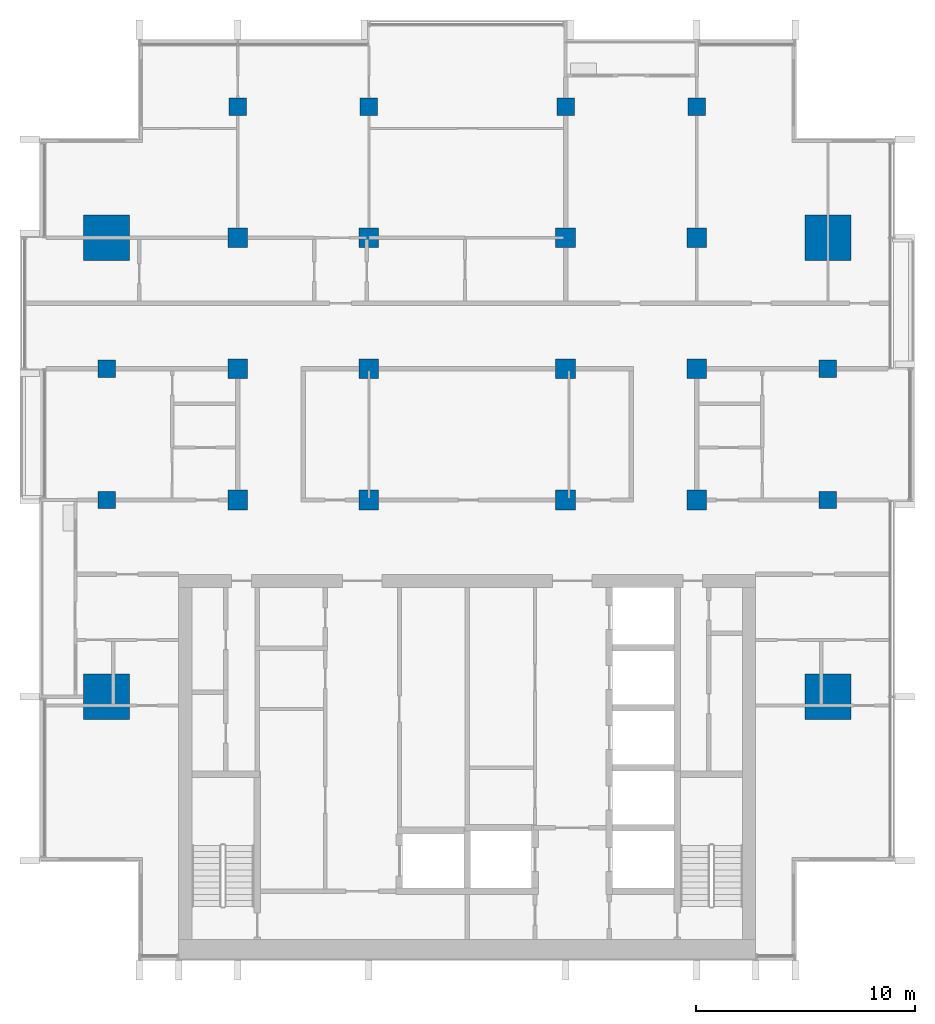
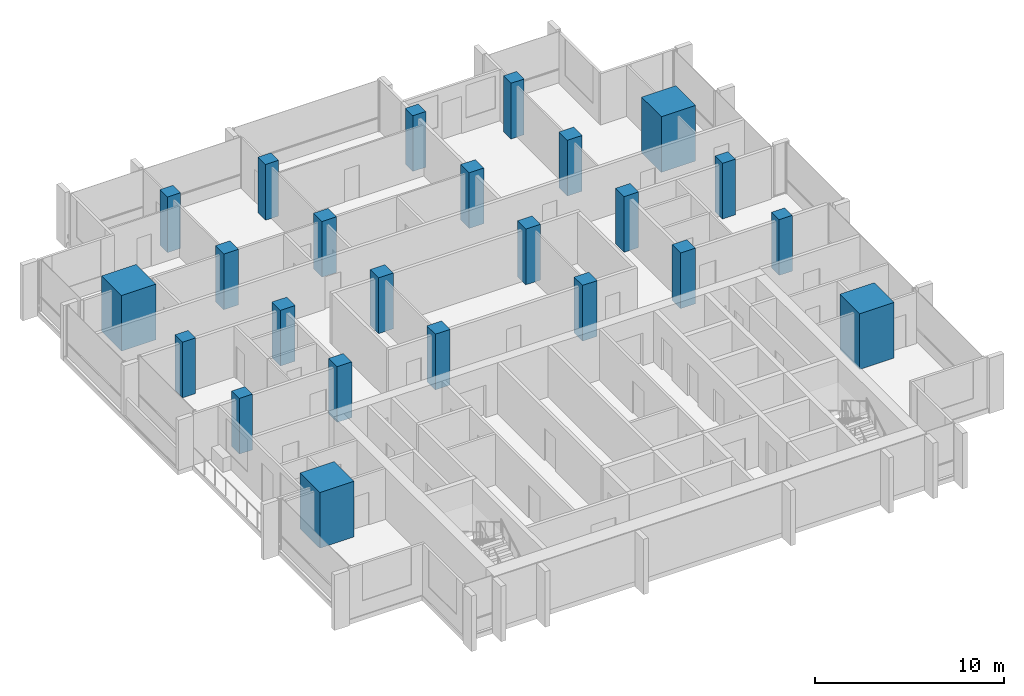
# One storey, part 1 of 16: 24 columns.
"""IFC4 building model written with IfcOpenShell, lengths in metres."""

from ifc_helpers import new_model, si_unit, direction, frame, origin, origin_2d, place, context, subcontext, project, spatial, rectangle, extrude, material, material_profile, profile_set, type_object, element, save


model = new_model("IFC4")

# Units and contexts
model_context = context("Model", 3, precision=1e-05, world=origin(), true_north=direction((0.0, 1.0)))
body_context = subcontext(model_context, "Body", "Model", "MODEL_VIEW")
ifc_project = project(units=[si_unit("LENGTHUNIT", "METRE"), si_unit("AREAUNIT", "SQUARE_METRE"), si_unit("VOLUMEUNIT", "CUBIC_METRE"), si_unit("PLANEANGLEUNIT", "RADIAN"), si_unit("MASSUNIT", "GRAM", prefix="KILO")], contexts=[model_context])

# Site, building, storey
site_placement = place(None, origin())
site = spatial("IfcSite", under=ifc_project, at=site_placement, CompositionType="ELEMENT")
building_placement = place(site_placement, origin())
building = spatial("IfcBuilding", under=site, at=building_placement, Name="Finial Court Residences", CompositionType="ELEMENT")
storey_placement = place(building_placement, frame((0.0, 0.0, 230.300048828125)))
storey = spatial("IfcBuildingStorey", under=building, at=storey_placement, Name="L58", CompositionType="ELEMENT", Elevation=230.300048828125)

# Columns
ifc_material = material(Name="Concrete C50/60", Category="concrete")
ifc_material_profile_1 = material_profile(ifc_material, rectangle(XDim=0.89990234375, YDim=0.89990234375, at=origin_2d()), Name="900x900")
ifc_profile_set_1 = profile_set([ifc_material_profile_1], Name="Concrete C50/60")
column_type_1 = type_object("IfcColumnType", Name="Interior column 900x900 Concrete C50/60", PredefinedType="COLUMN", material=ifc_profile_set_1)
for number, where, z_axis, x_axis, name in (
    (1, (-10.5, -4.5, 0.0), (0.0, 0.0, 1.0), (1.0, 0.0, 0.0), "S:COL:L58:D4"),
    (2, (-10.5, 1.5, 0.0), (0.0, 0.0, 1.0), (1.0, 0.0, 0.0), "S:COL:L58:D5"),
    (3, (-10.5, 7.5, 0.0), (0.0, 0.0, 1.0), (1.0, 0.0, 0.0), "S:COL:L58:D6"),
    (4, (-4.5, -4.5, 0.0), (0.0, 0.0, 1.0), (1.0, 0.0, 0.0), "S:COL:L58:E4"),
    (5, (-4.5, 1.5, 0.0), (0.0, 0.0, 1.0), (1.0, 0.0, 0.0), "S:COL:L58:E5"),
    (6, (-4.5, 7.5, 0.0), (0.0, 0.0, 1.0), (1.0, 0.0, 0.0), "S:COL:L58:E6"),
    (7, (4.5, -4.5, 0.0), (0.0, 0.0, 1.0), (1.0, 0.0, 0.0), "S:COL:L58:F4"),
    (8, (4.5, 1.5, 0.0), (0.0, 0.0, 1.0), (1.0, 0.0, 0.0), "S:COL:L58:F5"),
    (9, (4.5, 7.5, 0.0), (0.0, 0.0, 1.0), (1.0, 0.0, 0.0), "S:COL:L58:F6"),
    (10, (10.5, -4.5, 0.0), (0.0, 0.0, 1.0), (1.0, 0.0, 0.0), "S:COL:L58:G4"),
    (11, (10.5, 1.5, 0.0), (0.0, 0.0, 1.0), (1.0, 0.0, 0.0), "S:COL:L58:G5"),
    (12, (10.5, 7.5, 0.0), (0.0, 0.0, 1.0), (1.0, 0.0, 0.0), "S:COL:L58:G6"),
):
    element("IfcColumn", number, at=place(storey_placement, frame(where, z_axis=z_axis, x_axis=x_axis)), inside=storey, type_object=column_type_1, Name=name, PredefinedType="COLUMN", context=body_context, shape_type="SweptSolid", body=[
        extrude(rectangle(XDim=0.89990234375, YDim=0.89990234375, at=origin_2d()), origin(), (0.0, 0.0, 1.0), 3.599853515625),
    ])
ifc_material_profile_2 = material_profile(ifc_material, rectangle(XDim=2.10009765625, YDim=2.10009765625, at=origin_2d()), Name="2100x2100")
ifc_profile_set_2 = profile_set([ifc_material_profile_2], Name="Concrete C50/60")
column_type_2 = type_object("IfcColumnType", Name="Mega column 2100x2100 Concrete C50/60", PredefinedType="COLUMN", material=ifc_profile_set_2)
for number, where, z_axis, x_axis, name in (
    (13, (-16.5, -13.5, 0.0), (0.0, 0.0, 1.0), (1.0, 0.0, 0.0), "S:COL:L58:C3"),
    (14, (-16.5, 7.5, 0.0), (0.0, 0.0, 1.0), (1.0, 0.0, 0.0), "S:COL:L58:C6"),
    (15, (16.5, -13.5, 0.0), (0.0, 0.0, 1.0), (1.0, 0.0, 0.0), "S:COL:L58:H3"),
    (16, (16.5, 7.5, 0.0), (0.0, 0.0, 1.0), (1.0, 0.0, 0.0), "S:COL:L58:H6"),
):
    element("IfcColumn", number, at=place(storey_placement, frame(where, z_axis=z_axis, x_axis=x_axis)), inside=storey, type_object=column_type_2, Name=name, PredefinedType="COLUMN", context=body_context, shape_type="SweptSolid", body=[
        extrude(rectangle(XDim=2.10009765625, YDim=2.10009765625, at=origin_2d()), origin(), (0.0, 0.0, 1.0), 3.599853515625),
    ])
ifc_material_profile_3 = material_profile(ifc_material, rectangle(XDim=0.800048828125, YDim=0.800048828125, at=origin_2d()), Name="800x800")
ifc_profile_set_3 = profile_set([ifc_material_profile_3], Name="Concrete C50/60")
column_type_3 = type_object("IfcColumnType", Name="Perimeter column 800x800 Concrete C50/60", PredefinedType="COLUMN", material=ifc_profile_set_3)
for number, where, z_axis, x_axis, name in (
    (17, (-16.5, -4.5, 0.0), (0.0, 0.0, 1.0), (1.0, 0.0, 0.0), "S:COL:L58:C4"),
    (18, (-16.5, 1.5, 0.0), (0.0, 0.0, 1.0), (1.0, 0.0, 0.0), "S:COL:L58:C5"),
    (19, (-10.5, 13.5, 0.0), (0.0, 0.0, 1.0), (1.0, 0.0, 0.0), "S:COL:L58:D7"),
    (20, (-4.5, 13.5, 0.0), (0.0, 0.0, 1.0), (1.0, 0.0, 0.0), "S:COL:L58:E7"),
    (21, (4.5, 13.5, 0.0), (0.0, 0.0, 1.0), (1.0, 0.0, 0.0), "S:COL:L58:F7"),
    (22, (10.5, 13.5, 0.0), (0.0, 0.0, 1.0), (1.0, 0.0, 0.0), "S:COL:L58:G7"),
    (23, (16.5, -4.5, 0.0), (0.0, 0.0, 1.0), (1.0, 0.0, 0.0), "S:COL:L58:H4"),
    (24, (16.5, 1.5, 0.0), (0.0, 0.0, 1.0), (1.0, 0.0, 0.0), "S:COL:L58:H5"),
):
    element("IfcColumn", number, at=place(storey_placement, frame(where, z_axis=z_axis, x_axis=x_axis)), inside=storey, type_object=column_type_3, Name=name, PredefinedType="COLUMN", context=body_context, shape_type="SweptSolid", body=[
        extrude(rectangle(XDim=0.800048828125, YDim=0.800048828125, at=origin_2d()), origin(), (0.0, 0.0, 1.0), 3.599853515625),
    ])

save(model, "model.ifc")
